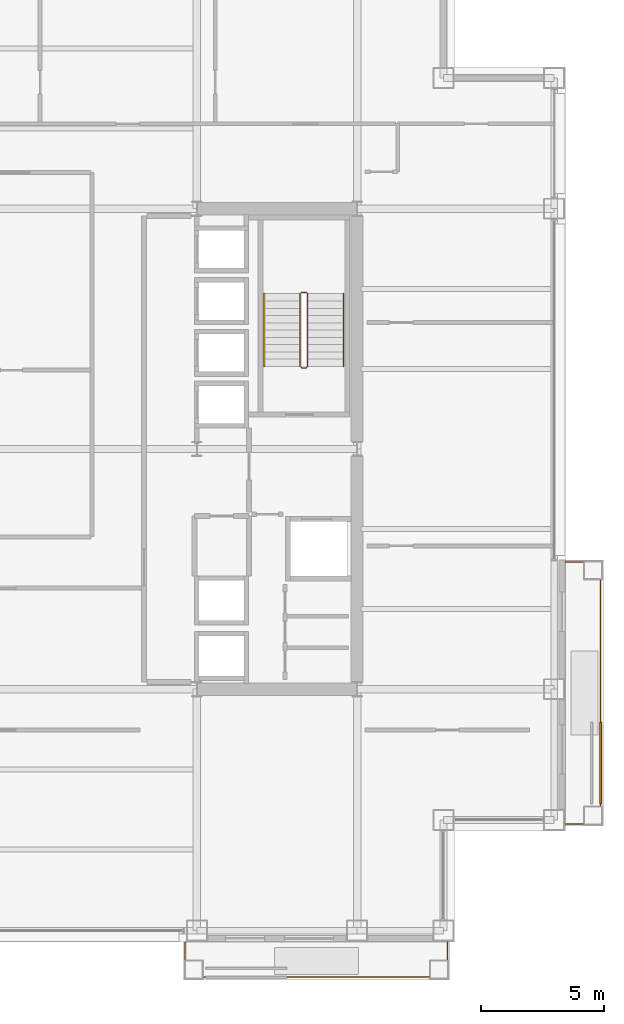
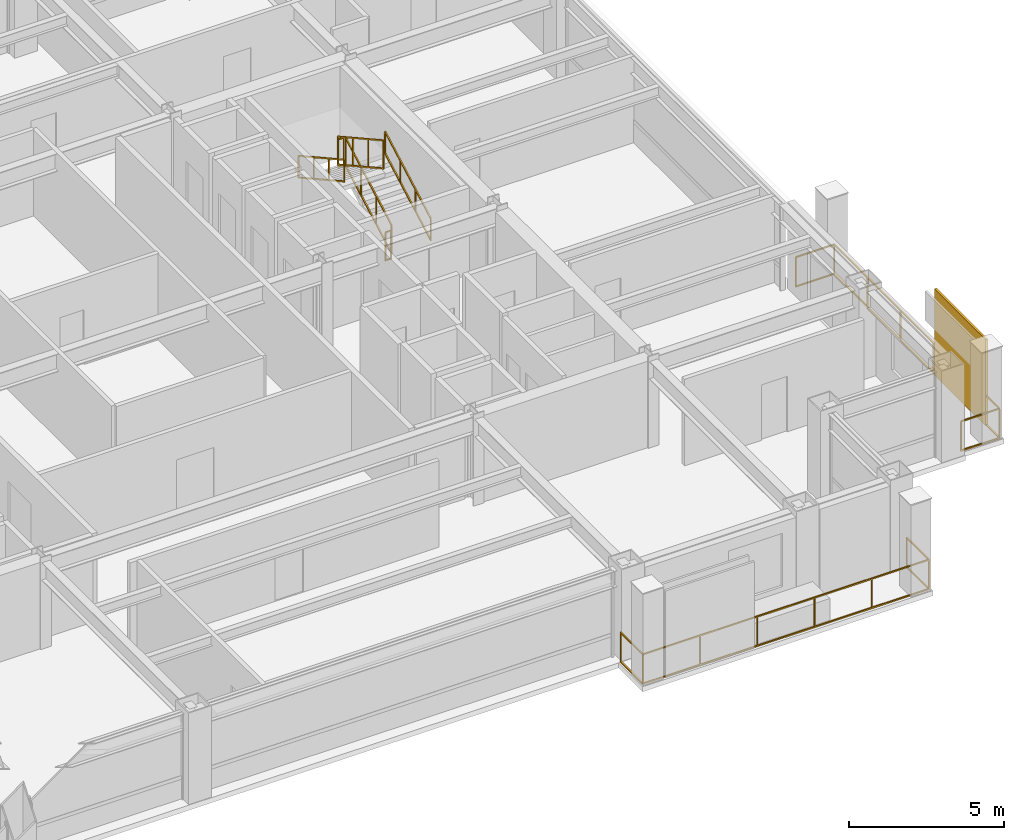
# One storey, part 30 of 31: 8 railings, 1 shading device.
"""IFC4 building model written with IfcOpenShell, lengths in metres."""

from ifc_helpers import new_model, si_unit, direction, frame, origin, origin_2d, place, context, subcontext, project, spatial, rectangle, extrude, material, layer, layer_set, type_object, element, save


model = new_model("IFC4")

# Units and contexts
model_context = context("Model", 3, precision=1e-05, world=origin(), true_north=direction((0.0, 1.0)))
body_context = subcontext(model_context, "Body", "Model", "MODEL_VIEW")
ifc_project = project(units=[si_unit("LENGTHUNIT", "METRE"), si_unit("AREAUNIT", "SQUARE_METRE"), si_unit("VOLUMEUNIT", "CUBIC_METRE"), si_unit("PLANEANGLEUNIT", "RADIAN"), si_unit("MASSUNIT", "GRAM", prefix="KILO")], contexts=[model_context])

# Site, building, storey
site_placement = place(None, origin())
site = spatial("IfcSite", under=ifc_project, at=site_placement, CompositionType="ELEMENT")
building_placement = place(site_placement, origin())
building = spatial("IfcBuilding", under=site, at=building_placement, Name="Brelmoor Portico Tower", CompositionType="ELEMENT")
storey_placement = place(building_placement, frame((0.0, 0.0, 106.199951171875)))
storey = spatial("IfcBuildingStorey", under=building, at=storey_placement, Name="L27", CompositionType="ELEMENT", Elevation=106.199951171875)

# Railings
ifc_material_1 = material(Name="Perforated Pale Champagne Aluminium Fretwork Guard", Category="aluminium")
railing_type_1 = type_object("IfcRailingType", Name="RL-BALUSTRADE-1200", PredefinedType="BALUSTRADE", material=ifc_material_1)
railing_1_placement = place(storey_placement, frame((7.580078125, -20.0, 0.0)))
element("IfcRailing", 1, at=railing_1_placement, inside=storey, type_object=railing_type_1, Name="L27 Tree Balcony Fretwork Balustrade S", PredefinedType="BALUSTRADE", context=body_context, shape_type="SweptSolid", body=[
    extrude(rectangle(XDim=0.048095703125, YDim=0.048095703125, at=origin_2d()), frame((0.0, 0.0, 1.17578125), z_axis=(0.0, -1.0, 0.0), x_axis=(1.0, 0.0, 0.0)), (0.0, 0.0, 1.0), 1.429931640625),
    extrude(rectangle(XDim=0.048095703125, YDim=0.048095703125, at=origin_2d()), frame((0.0, 0.0, 0.02392578125), z_axis=(0.0, -1.0, 0.0), x_axis=(1.0, 0.0, 0.0)), (0.0, 0.0, 1.0), 1.429931640625),
    extrude(rectangle(XDim=0.048095703125, YDim=0.048095703125, at=origin_2d()), frame((0.0, -1.429931640625, 1.17578125), z_axis=(1.0, 0.0, 0.0), x_axis=(0.0, 1.0, 0.0)), (0.0, 0.0, 1.0), 10.639892578125),
    extrude(rectangle(XDim=0.048095703125, YDim=0.048095703125, at=origin_2d()), frame((0.0, -1.429931640625, 0.02392578125), z_axis=(1.0, 0.0, 0.0), x_axis=(0.0, 1.0, 0.0)), (0.0, 0.0, 1.0), 10.639892578125),
    extrude(rectangle(XDim=0.048095703125, YDim=0.048095703125, at=origin_2d()), frame((10.639892578125, -1.429931640625, 1.17578125), z_axis=(0.0, 1.0, 0.0), x_axis=(-1.0, 0.0, 0.0)), (0.0, 0.0, 1.0), 1.429931640625),
    extrude(rectangle(XDim=0.048095703125, YDim=0.048095703125, at=origin_2d()), frame((10.639892578125, -1.429931640625, 0.02392578125), z_axis=(0.0, 1.0, 0.0), x_axis=(-1.0, 0.0, 0.0)), (0.0, 0.0, 1.0), 1.429931640625),
    extrude(rectangle(XDim=0.0419921875, YDim=0.0419921875, at=origin_2d()), origin(), (0.0, 0.0, 1.0), 1.15185546875),
    extrude(rectangle(XDim=0.0419921875, YDim=0.0419921875, at=origin_2d()), frame((0.0, -1.429931640625, 0.0)), (0.0, 0.0, 1.0), 1.15185546875),
    extrude(rectangle(XDim=0.0419921875, YDim=0.0419921875, at=origin_2d()), frame((2.1279296875, -1.429931640625, 0.0)), (0.0, 0.0, 1.0), 1.15185546875),
    extrude(rectangle(XDim=0.0419921875, YDim=0.0419921875, at=origin_2d()), frame((4.255859375, -1.429931640625, 0.0)), (0.0, 0.0, 1.0), 1.15185546875),
    extrude(rectangle(XDim=0.0419921875, YDim=0.0419921875, at=origin_2d()), frame((6.384033203125, -1.429931640625, 0.0)), (0.0, 0.0, 1.0), 1.15185546875),
    extrude(rectangle(XDim=0.0419921875, YDim=0.0419921875, at=origin_2d()), frame((8.511962890625, -1.429931640625, 0.0)), (0.0, 0.0, 1.0), 1.15185546875),
    extrude(rectangle(XDim=0.0419921875, YDim=0.0419921875, at=origin_2d()), frame((10.639892578125, -1.429931640625, 0.0)), (0.0, 0.0, 1.0), 1.15185546875),
    extrude(rectangle(XDim=0.0419921875, YDim=0.0419921875, at=origin_2d()), frame((10.639892578125, 0.0, 0.0)), (0.0, 0.0, 1.0), 1.15185546875),
])
railing_2_placement = place(storey_placement, frame((23.0, -15.219970703125, 0.0)))
element("IfcRailing", 2, at=railing_2_placement, inside=storey, type_object=railing_type_1, Name="L27 Tree Balcony Fretwork Balustrade E", PredefinedType="BALUSTRADE", context=body_context, shape_type="SweptSolid", body=[
    extrude(rectangle(XDim=0.048095703125, YDim=0.048095703125, at=origin_2d()), frame((0.0, 0.0, 1.17578125), z_axis=(1.0, 0.0, 0.0), x_axis=(0.0, 1.0, 0.0)), (0.0, 0.0, 1.0), 1.429931640625),
    extrude(rectangle(XDim=0.048095703125, YDim=0.048095703125, at=origin_2d()), frame((0.0, 0.0, 0.02392578125), z_axis=(1.0, 0.0, 0.0), x_axis=(0.0, 1.0, 0.0)), (0.0, 0.0, 1.0), 1.429931640625),
    extrude(rectangle(XDim=0.048095703125, YDim=0.048095703125, at=origin_2d()), frame((1.429931640625, 0.0, 1.17578125), z_axis=(0.0, 1.0, 0.0), x_axis=(-1.0, 0.0, 0.0)), (0.0, 0.0, 1.0), 10.639892578125),
    extrude(rectangle(XDim=0.048095703125, YDim=0.048095703125, at=origin_2d()), frame((1.429931640625, 0.0, 0.02392578125), z_axis=(0.0, 1.0, 0.0), x_axis=(-1.0, 0.0, 0.0)), (0.0, 0.0, 1.0), 10.639892578125),
    extrude(rectangle(XDim=0.048095703125, YDim=0.048095703125, at=origin_2d()), frame((1.429931640625, 10.639892578125, 1.17578125), z_axis=(-1.0, 0.0, 0.0), x_axis=(0.0, -1.0, 0.0)), (0.0, 0.0, 1.0), 1.429931640625),
    extrude(rectangle(XDim=0.048095703125, YDim=0.048095703125, at=origin_2d()), frame((1.429931640625, 10.639892578125, 0.02392578125), z_axis=(-1.0, 0.0, 0.0), x_axis=(0.0, -1.0, 0.0)), (0.0, 0.0, 1.0), 1.429931640625),
    extrude(rectangle(XDim=0.0419921875, YDim=0.0419921875, at=origin_2d()), origin(), (0.0, 0.0, 1.0), 1.15185546875),
    extrude(rectangle(XDim=0.0419921875, YDim=0.0419921875, at=origin_2d()), frame((1.429931640625, 0.0, 0.0)), (0.0, 0.0, 1.0), 1.15185546875),
    extrude(rectangle(XDim=0.0419921875, YDim=0.0419921875, at=origin_2d()), frame((1.429931640625, 2.1279296875, 0.0)), (0.0, 0.0, 1.0), 1.15185546875),
    extrude(rectangle(XDim=0.0419921875, YDim=0.0419921875, at=origin_2d()), frame((1.429931640625, 4.255859375, 0.0)), (0.0, 0.0, 1.0), 1.15185546875),
    extrude(rectangle(XDim=0.0419921875, YDim=0.0419921875, at=origin_2d()), frame((1.429931640625, 6.384033203125, 0.0)), (0.0, 0.0, 1.0), 1.15185546875),
    extrude(rectangle(XDim=0.0419921875, YDim=0.0419921875, at=origin_2d()), frame((1.429931640625, 8.511962890625, 0.0)), (0.0, 0.0, 1.0), 1.15185546875),
    extrude(rectangle(XDim=0.0419921875, YDim=0.0419921875, at=origin_2d()), frame((1.429931640625, 10.639892578125, 0.0)), (0.0, 0.0, 1.0), 1.15185546875),
    extrude(rectangle(XDim=0.0419921875, YDim=0.0419921875, at=origin_2d()), frame((0.0, 10.639892578125, 0.0)), (0.0, 0.0, 1.0), 1.15185546875),
])
ifc_material_2 = material(Name="Painted Tubular Steel Q235B", Category="steel")
railing_type_2 = type_object("IfcRailingType", Name="RL-STAIR-GUARD", PredefinedType="GUARDRAIL", material=ifc_material_2)
railing_3_placement = place(storey_placement, frame((12.5400390625, 3.35009765625, 0.16357421875)))
element("IfcRailing", 3, at=railing_3_placement, inside=storey, type_object=railing_type_2, Name="L27 ST-E stair guard 1", PredefinedType="GUARDRAIL", context=body_context, shape_type="SweptSolid", body=[
    extrude(rectangle(XDim=0.048095703125, YDim=0.048095703125, at=origin_2d()), frame((0.0, 0.0, 1.1259765625), z_axis=(0.0, 0.874457516365, 0.485102104791), x_axis=(-1.0, 0.0, 0.0)), (0.0, 0.0, 1.0), 3.37353515625),
    extrude(rectangle(XDim=0.048095703125, YDim=0.048095703125, at=origin_2d()), frame((0.0, 0.0, 0.02392578125), z_axis=(0.0, 0.874457516365, 0.485102104791), x_axis=(-1.0, 0.0, 0.0)), (0.0, 0.0, 1.0), 3.37353515625),
    extrude(rectangle(XDim=0.0419921875, YDim=0.0419921875, at=origin_2d()), origin(), (0.0, 0.0, 1.0), 1.101806640625),
    extrude(rectangle(XDim=0.0419921875, YDim=0.0419921875, at=origin_2d()), frame((0.0, 0.9833984375, 0.54541015625)), (0.0, 0.0, 1.0), 1.101806640625),
    extrude(rectangle(XDim=0.0419921875, YDim=0.0419921875, at=origin_2d()), frame((0.0, 1.966552734375, 1.091064453125)), (0.0, 0.0, 1.0), 1.101806640625),
    extrude(rectangle(XDim=0.0419921875, YDim=0.0419921875, at=origin_2d()), frame((0.0, 2.949951171875, 1.636474609375)), (0.0, 0.0, 1.0), 1.101806640625),
])
railing_4_placement = place(storey_placement, frame((12.489990234375, 6.35009765625, 1.800048828125)))
element("IfcRailing", 4, at=railing_4_placement, inside=storey, type_object=railing_type_2, Name="L27 ST-E stair guard 2", PredefinedType="GUARDRAIL", context=body_context, shape_type="SweptSolid", body=[
    extrude(rectangle(XDim=0.048095703125, YDim=0.048095703125, at=origin_2d()), frame((0.0, 0.0, 1.1259765625), z_axis=(-1.0, 0.0, 0.0), x_axis=(0.0, -1.0, 0.0)), (0.0, 0.0, 1.0), 0.199951171875),
    extrude(rectangle(XDim=0.048095703125, YDim=0.048095703125, at=origin_2d()), frame((0.0, 0.0, 0.02392578125), z_axis=(-1.0, 0.0, 0.0), x_axis=(0.0, -1.0, 0.0)), (0.0, 0.0, 1.0), 0.199951171875),
    extrude(rectangle(XDim=0.0419921875, YDim=0.0419921875, at=origin_2d()), origin(), (0.0, 0.0, 1.0), 1.101806640625),
    extrude(rectangle(XDim=0.0419921875, YDim=0.0419921875, at=origin_2d()), frame((-0.199951171875, 0.0, 0.0)), (0.0, 0.0, 1.0), 1.101806640625),
])
railing_5_placement = place(storey_placement, frame((12.239990234375, 6.300048828125, 1.963623046875)))
element("IfcRailing", 5, at=railing_5_placement, inside=storey, type_object=railing_type_2, Name="L27 ST-E stair guard 3", PredefinedType="GUARDRAIL", context=body_context, shape_type="SweptSolid", body=[
    extrude(rectangle(XDim=0.048095703125, YDim=0.048095703125, at=origin_2d()), frame((0.0, 0.0, 1.1259765625), z_axis=(0.0, -0.874457516365, 0.485102104791), x_axis=(1.0, 0.0, 0.0)), (0.0, 0.0, 1.0), 3.37353515625),
    extrude(rectangle(XDim=0.048095703125, YDim=0.048095703125, at=origin_2d()), frame((0.0, 0.0, 0.02392578125), z_axis=(0.0, -0.874457516365, 0.485102104791), x_axis=(1.0, 0.0, 0.0)), (0.0, 0.0, 1.0), 3.37353515625),
    extrude(rectangle(XDim=0.0419921875, YDim=0.0419921875, at=origin_2d()), origin(), (0.0, 0.0, 1.0), 1.101806640625),
    extrude(rectangle(XDim=0.0419921875, YDim=0.0419921875, at=origin_2d()), frame((0.0, -0.9833984375, 0.54541015625)), (0.0, 0.0, 1.0), 1.101806640625),
    extrude(rectangle(XDim=0.0419921875, YDim=0.0419921875, at=origin_2d()), frame((0.0, -1.966552734375, 1.091064453125)), (0.0, 0.0, 1.0), 1.101806640625),
    extrude(rectangle(XDim=0.0419921875, YDim=0.0419921875, at=origin_2d()), frame((0.0, -2.949951171875, 1.636474609375)), (0.0, 0.0, 1.0), 1.101806640625),
])
railing_6_placement = place(storey_placement, frame((12.489990234375, 3.300048828125, 0.0)))
element("IfcRailing", 6, at=railing_6_placement, inside=storey, type_object=railing_type_2, Name="L27 ST-E stair guard 4", PredefinedType="GUARDRAIL", context=body_context, shape_type="SweptSolid", body=[
    extrude(rectangle(XDim=0.048095703125, YDim=0.048095703125, at=origin_2d()), frame((0.0, 0.0, 1.1259765625), z_axis=(-1.0, 0.0, 0.0), x_axis=(0.0, -1.0, 0.0)), (0.0, 0.0, 1.0), 0.199951171875),
    extrude(rectangle(XDim=0.048095703125, YDim=0.048095703125, at=origin_2d()), frame((0.0, 0.0, 0.02392578125), z_axis=(-1.0, 0.0, 0.0), x_axis=(0.0, -1.0, 0.0)), (0.0, 0.0, 1.0), 0.199951171875),
    extrude(rectangle(XDim=0.0419921875, YDim=0.0419921875, at=origin_2d()), origin(), (0.0, 0.0, 1.0), 1.101806640625),
    extrude(rectangle(XDim=0.0419921875, YDim=0.0419921875, at=origin_2d()), frame((-0.199951171875, 0.0, 0.0)), (0.0, 0.0, 1.0), 1.101806640625),
])
ifc_material_3 = material(Name="Brushed Stainless Steel 304", Category="steel")
railing_type_3 = type_object("IfcRailingType", Name="RL-STAIR-HANDRAIL", PredefinedType="HANDRAIL", material=ifc_material_3)
railing_7_placement = place(storey_placement, frame((14.0, 3.35009765625, 0.16357421875)))
element("IfcRailing", 7, at=railing_7_placement, inside=storey, type_object=railing_type_3, Name="L27 ST-E stair handrail 1", PredefinedType="HANDRAIL", context=body_context, shape_type="SweptSolid", body=[
    extrude(rectangle(XDim=0.048095703125, YDim=0.048095703125, at=origin_2d()), frame((0.0, 0.0, 0.8759765625), z_axis=(0.0, 0.874457516365, 0.485102104791), x_axis=(-1.0, 0.0, 0.0)), (0.0, 0.0, 1.0), 3.37353515625),
    extrude(rectangle(XDim=0.048095703125, YDim=0.048095703125, at=origin_2d()), frame((0.0, 0.0, 0.02392578125), z_axis=(0.0, 0.874457516365, 0.485102104791), x_axis=(-1.0, 0.0, 0.0)), (0.0, 0.0, 1.0), 3.37353515625),
    extrude(rectangle(XDim=0.0419921875, YDim=0.0419921875, at=origin_2d()), origin(), (0.0, 0.0, 1.0), 0.851806640625),
    extrude(rectangle(XDim=0.0419921875, YDim=0.0419921875, at=origin_2d()), frame((0.0, 0.9833984375, 0.54541015625)), (0.0, 0.0, 1.0), 0.851806640625),
    extrude(rectangle(XDim=0.0419921875, YDim=0.0419921875, at=origin_2d()), frame((0.0, 1.966552734375, 1.091064453125)), (0.0, 0.0, 1.0), 0.851806640625),
    extrude(rectangle(XDim=0.0419921875, YDim=0.0419921875, at=origin_2d()), frame((0.0, 2.949951171875, 1.636474609375)), (0.0, 0.0, 1.0), 0.851806640625),
])
railing_8_placement = place(storey_placement, frame((10.780029296875, 6.300048828125, 1.963623046875)))
element("IfcRailing", 8, at=railing_8_placement, inside=storey, type_object=railing_type_3, Name="L27 ST-E stair handrail 2", PredefinedType="HANDRAIL", context=body_context, shape_type="SweptSolid", body=[
    extrude(rectangle(XDim=0.048095703125, YDim=0.048095703125, at=origin_2d()), frame((0.0, 0.0, 0.8759765625), z_axis=(0.0, -0.874457516365, 0.485102104791), x_axis=(1.0, 0.0, 0.0)), (0.0, 0.0, 1.0), 3.37353515625),
    extrude(rectangle(XDim=0.048095703125, YDim=0.048095703125, at=origin_2d()), frame((0.0, 0.0, 0.02392578125), z_axis=(0.0, -0.874457516365, 0.485102104791), x_axis=(1.0, 0.0, 0.0)), (0.0, 0.0, 1.0), 3.37353515625),
    extrude(rectangle(XDim=0.0419921875, YDim=0.0419921875, at=origin_2d()), origin(), (0.0, 0.0, 1.0), 0.851806640625),
    extrude(rectangle(XDim=0.0419921875, YDim=0.0419921875, at=origin_2d()), frame((0.0, -0.9833984375, 0.54541015625)), (0.0, 0.0, 1.0), 0.851806640625),
    extrude(rectangle(XDim=0.0419921875, YDim=0.0419921875, at=origin_2d()), frame((0.0, -1.966552734375, 1.091064453125)), (0.0, 0.0, 1.0), 0.851806640625),
    extrude(rectangle(XDim=0.0419921875, YDim=0.0419921875, at=origin_2d()), frame((0.0, -2.949951171875, 1.636474609375)), (0.0, 0.0, 1.0), 0.851806640625),
])

# Shading device
ifc_material_4 = material(Name="Powder-Coated Aluminium Shuttered Jalousie", Category="aluminium")
ifc_layer = layer(ifc_material_4, 0.080078125)
ifc_layer_set = layer_set([ifc_layer], Name="Powder-Coated Aluminium Shuttered Jalousie")
shading_device_type = type_object("IfcShadingDeviceType", Name="SD-JALOUSIE-LOGGIA", PredefinedType="JALOUSIE", material=ifc_layer_set)
shading_device_placement = place(storey_placement, frame((24.429931640625, -12.75, 0.0), z_axis=(0.0, 0.0, 1.0), x_axis=(0.0, 1.0, 0.0)))
element("IfcShadingDevice", 9, at=shading_device_placement, inside=storey, type_object=shading_device_type, Name="L27 Loggia Shuttered Jalousie E", PredefinedType="JALOUSIE", context=body_context, shape_type="SweptSolid", body=[
    extrude(rectangle(XDim=3.300048828125, YDim=0.080078125, at=origin_2d()), origin(), (0.0, 0.0, 1.0), 3.39990234375),
])

save(model, "model.ifc")
